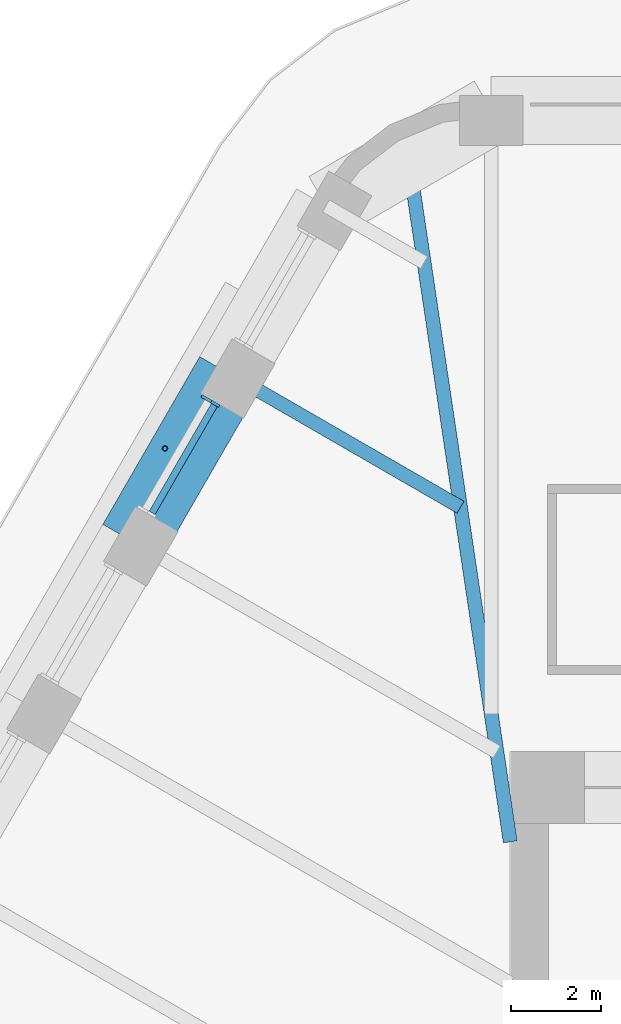
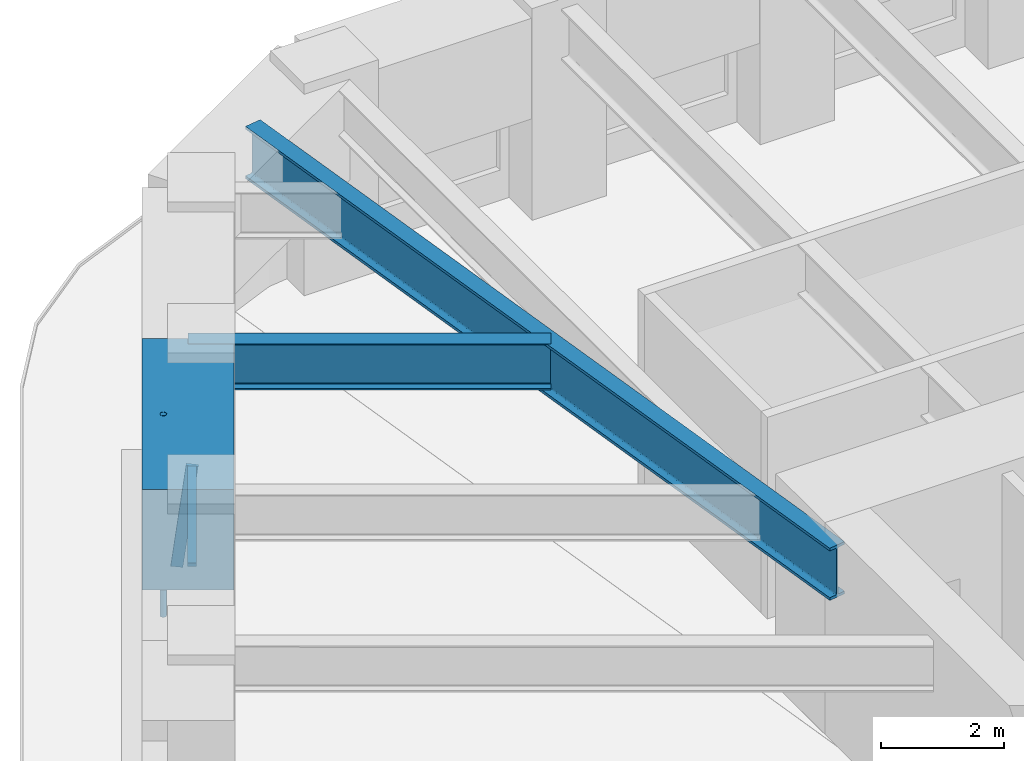
# One storey, part 8 of 18: 3 beams, 3 members, 1 element without a shape of its own.
"""IFC4 building model written with IfcOpenShell, lengths in metres."""

from ifc_helpers import new_model, si_unit, direction, frame, origin, origin_2d, place, context, subcontext, project, spatial, rectangle, hollow_circle, i_section, extrude, material, material_profile, profile_set, type_object, element, aggregate, save


model = new_model("IFC4")

# Units and contexts
model_context = context("Model", 3, precision=1e-05, world=origin(), true_north=direction((0.0, 1.0)))
body_context = subcontext(model_context, "Body", "Model", "MODEL_VIEW")
ifc_project = project(units=[si_unit("LENGTHUNIT", "METRE"), si_unit("AREAUNIT", "SQUARE_METRE"), si_unit("VOLUMEUNIT", "CUBIC_METRE"), si_unit("PLANEANGLEUNIT", "RADIAN"), si_unit("MASSUNIT", "GRAM", prefix="KILO")], contexts=[model_context])

# Site, building, storey
site_placement = place(None, origin())
site = spatial("IfcSite", under=ifc_project, at=site_placement, CompositionType="ELEMENT")
building_placement = place(site_placement, origin())
building = spatial("IfcBuilding", under=site, at=building_placement, Name="Tarfa Lantern Tower", CompositionType="ELEMENT")
storey_placement = place(building_placement, frame((0.0, 0.0, 324.10009765625)))
storey = spatial("IfcBuildingStorey", under=building, at=storey_placement, Name="L73", CompositionType="ELEMENT", Elevation=324.10009765625)

# Curtain wall, members
ifc_material_1 = material(Name="Aluminium framed curtain wall", Category="aluminium")
curtain_wall_type = type_object("IfcCurtainWallType", Name="CW4 CANTED GLAZING EXECUTIVE ZONE 2000", PredefinedType="USERDEFINED", material=ifc_material_1)
curtain_wall_placement = place(storey_placement, origin())
curtain_wall = element("IfcCurtainWall", 1, at=curtain_wall_placement, inside=storey, type_object=curtain_wall_type, Name="CW4 NW L73", ObjectType="CURTAIN WALL", PredefinedType="USERDEFINED")
ifc_material_2 = material(Name="Aluminium mullion", Category="aluminium")
ifc_material_profile_1 = material_profile(ifc_material_2, rectangle(XDim=0.06494140625, YDim=0.199951171875, at=origin_2d()), Name="AL MULLION 65x200")
ifc_profile_set_1 = profile_set([ifc_material_profile_1], Name="Aluminium mullion")
member_type_1 = type_object("IfcMemberType", Name="CWM1 MULLION 65x200", PredefinedType="MULLION", material=ifc_profile_set_1)
member_1_placement = place(storey_placement, frame((-19.163818359375, 20.107421875, 0.0), z_axis=(0.107439978116, -0.062017213975, 0.992275423596), x_axis=(0.499919672301, 0.866071776036, 0.0)))
member_1 = element("IfcMember", 2, at=member_1_placement, type_object=member_type_1, Name="CW4 mullion 1", PredefinedType="MULLION", context=body_context, shape_type="SweptSolid", body=[
    extrude(rectangle(XDim=0.06494140625, YDim=0.199951171875, at=origin_2d()), origin(), (0.0, 0.0, 1.0), 2.015625),
])
ifc_material_3 = material(Name="Aluminium transom", Category="aluminium")
ifc_material_profile_2 = material_profile(ifc_material_3, rectangle(XDim=0.14990234375, YDim=0.06494140625, at=origin_2d()), Name="AL TRANSOM 150x65")
ifc_profile_set_2 = profile_set([ifc_material_profile_2], Name="Aluminium transom")
member_type_2 = type_object("IfcMemberType", Name="CWT1 TRANSOM 150x65", PredefinedType="USERDEFINED", material=ifc_profile_set_2)
member_2_placement = place(storey_placement, frame((-18.967041015625, 19.956298828125, 1.96728515625), z_axis=(-0.499955378711, -0.866051164365, 0.0), x_axis=(0.866051164365, -0.499955378711, 0.0)))
member_2 = element("IfcMember", 3, at=member_2_placement, type_object=member_type_2, Name="CW4 transom 1.2", ObjectType="TRANSOM", PredefinedType="USERDEFINED", context=body_context, shape_type="SweptSolid", body=[
    extrude(rectangle(XDim=0.14990234375, YDim=0.06494140625, at=origin_2d()), origin(), (0.0, 0.0, 1.0), 2.752197265625),
])
aggregate(curtain_wall, [member_1, member_2])

# Beam
ifc_material_4 = material(Name="Concrete C80/95", Category="concrete")
ifc_material_profile_3 = material_profile(ifc_material_4, rectangle(XDim=1.5, YDim=2.0, at=origin_2d()), Name="RC 1500x2000")
ifc_profile_set_3 = profile_set([ifc_material_profile_3], Name="Concrete C80/95")
beam_type_1 = type_object("IfcBeamType", Name="RB3 RC 1500x2000", PredefinedType="BEAM", material=ifc_profile_set_3)
beam_1_placement = place(storey_placement, frame((-18.6416015625, 20.651611328125, 3.0), z_axis=(-0.500026801138, -0.866009929587, 0.0), x_axis=(0.866009929587, -0.500026801138, 0.0)))
element("IfcBeam", 4, at=beam_1_placement, inside=storey, type_object=beam_type_1, Name="Edge beam NW1", PredefinedType="BEAM", context=body_context, shape_type="SweptSolid", body=[
    extrude(rectangle(XDim=1.5, YDim=2.0, at=origin_2d()), origin(), (0.0, 0.0, 1.0), 4.281982421875),
])

# Member
ifc_material_5 = material(Name="Steel S355", Category="steel")
ifc_material_profile_4 = material_profile(ifc_material_5, hollow_circle(Radius=0.05712890625, WallThickness=0.00634765625, at=origin_2d()), Name="CHS114.3x6.3")
ifc_profile_set_4 = profile_set([ifc_material_profile_4], Name="Steel S355")
member_type_3 = type_object("IfcMemberType", Name="TR1 GREEN WALL TRELLIS CHS114.3x6.3", PredefinedType="USERDEFINED", material=ifc_profile_set_4)
member_3_placement = place(storey_placement, frame((-20.05859375, 18.99755859375, 0.0), z_axis=(0.0, 0.0, 1.0), x_axis=(1.0, 0.0, 0.0)))
element("IfcMember", 5, at=member_3_placement, inside=storey, type_object=member_type_3, Name="Trellis post NW 1", ObjectType="TRELLIS", PredefinedType="USERDEFINED", context=body_context, shape_type="SweptSolid", body=[
    extrude(hollow_circle(Radius=0.05712890625, WallThickness=0.00634765625, at=origin_2d()), origin(), (0.0, 0.0, 1.0), 4.0),
])

# Beams
ifc_material_6 = material(Name="Steel S460M", Category="steel")
ifc_material_profile_5 = material_profile(ifc_material_6, i_section(OverallWidth=0.30859375, OverallDepth=1.036376953125, WebThickness=0.030029296875, FlangeThickness=0.05419921875, FilletRadius=0.030029296875, at=origin_2d()), Name="UB1016x305x487")
ifc_profile_set_5 = profile_set([ifc_material_profile_5], Name="Steel S460M")
beam_type_2 = type_object("IfcBeamType", Name="UB1016x305x487", PredefinedType="BEAM", material=ifc_profile_set_5)
beam_2_placement = place(storey_placement, frame((-12.425048828125, 10.300048828125, 3.481689453125), z_axis=(-0.147127069073, 0.989117599452, 0.0), x_axis=(-0.989117599452, -0.147127069073, 0.0)))
element("IfcBeam", 6, at=beam_2_placement, inside=storey, type_object=beam_type_2, Name="Hip girder NW", PredefinedType="BEAM", context=body_context, shape_type="SweptSolid", body=[
    extrude(i_section(OverallWidth=0.30859375, OverallDepth=1.036376953125, WebThickness=0.030029296875, FlangeThickness=0.05419921875, FilletRadius=0.030029296875, at=origin_2d()), origin(), (0.0, 0.0, 1.0), 15.28125),
])
ifc_material_profile_6 = material_profile(ifc_material_6, i_section(OverallWidth=0.305419921875, OverallDepth=0.91845703125, WebThickness=0.017333984375, FlangeThickness=0.02783203125, FilletRadius=0.01904296875, at=origin_2d()), Name="UB914x305x253")
ifc_profile_set_6 = profile_set([ifc_material_profile_6], Name="Steel S460M")
beam_type_3 = type_object("IfcBeamType", Name="UB914x305x253", PredefinedType="BEAM", material=ifc_profile_set_6)
beam_3_placement = place(storey_placement, frame((-18.6416015625, 20.651611328125, 3.540771484375), z_axis=(0.866024549157, -0.500001480256, 0.0), x_axis=(0.500001480256, 0.866024549157, 0.0)))
element("IfcBeam", 7, at=beam_3_placement, inside=storey, type_object=beam_type_3, Name="Floor beam NW1", PredefinedType="BEAM", context=body_context, shape_type="SweptSolid", body=[
    extrude(i_section(OverallWidth=0.305419921875, OverallDepth=0.91845703125, WebThickness=0.017333984375, FlangeThickness=0.02783203125, FilletRadius=0.01904296875, at=origin_2d()), origin(), (0.0, 0.0, 1.0), 5.90771484375),
])

save(model, "model.ifc")
